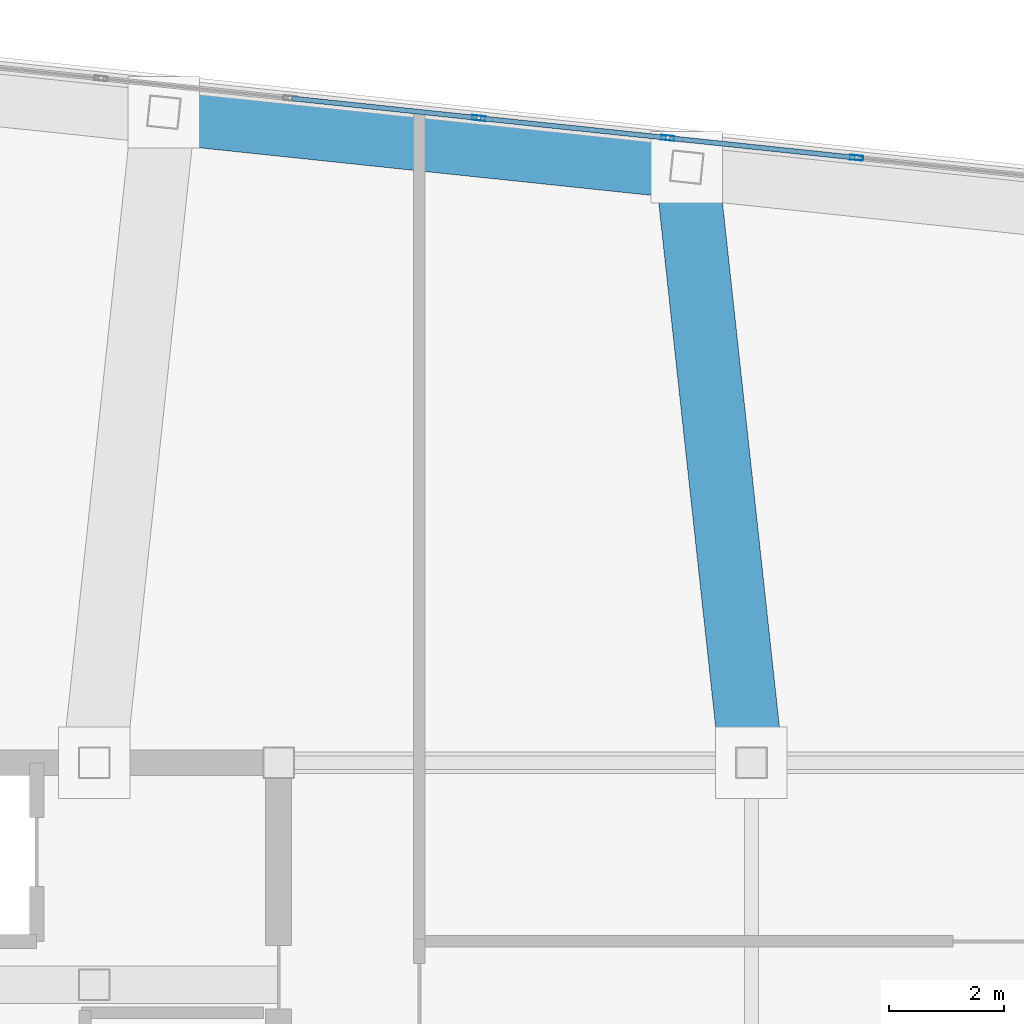
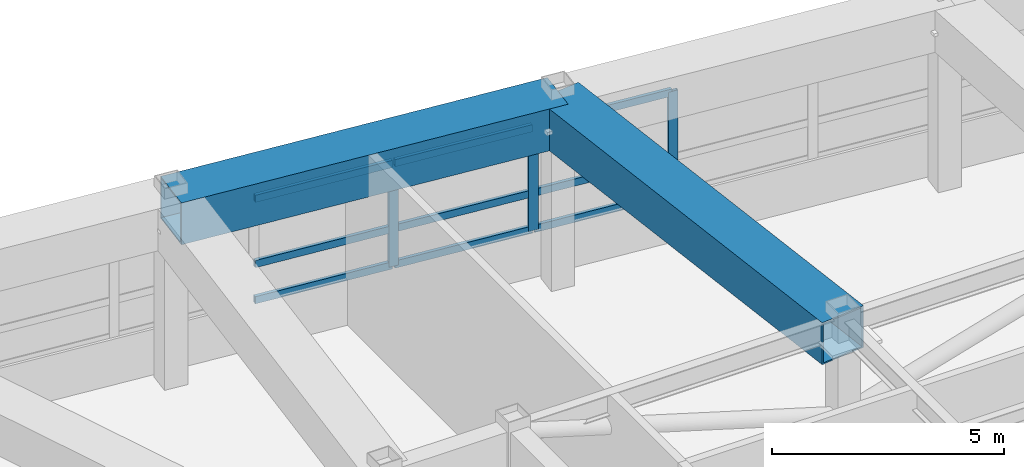
# One storey, part 15 of 23: 12 members, 2 beams, 1 element without a shape of its own.
"""IFC4 building model written with IfcOpenShell, lengths in metres."""

import ifcopenshell
import ifcopenshell.guid

model = None  # the IFC model being written
_history = None  # IfcOwnerHistory: only IFC2X3 demands one
_inside = {}  # id of a spatial element -> (the spatial element, [elements in it])
_under = {}  # id of a project, library or spatial element -> (it, [spatial elements below it])
_declared = {}  # id of a project -> (the project, [libraries it declares])
_typed = {}  # id of a type object -> (the type object, [elements of that type])
_made_of = {}  # id of a material, layer set ... -> (it, [elements and type objects made of it])


def new_model(schema):
    """Start an empty IFC model of exactly this schema.

    Asked for "IFC4X3", IfcOpenShell would pick the latest addendum, in which some entities
    have other attributes; the version numbers below select the first issue.
    IFC2X3 requires an IfcOwnerHistory on every rooted entity: one is made here for all.
    """
    global model, _history
    if schema == "IFC4X3":
        model = ifcopenshell.file(schema_version=(4, 3, 0, 0))
    else:
        model = ifcopenshell.file(schema=schema)
    _inside.clear()
    _under.clear()
    _declared.clear()
    _typed.clear()
    _made_of.clear()
    _history = None
    if model.schema == "IFC2X3":
        org = make("IfcOrganization", Name="unknown")
        user = make(
            "IfcPersonAndOrganization",
            ThePerson=make("IfcPerson", FamilyName="unknown"),
            TheOrganization=org,
        )
        app = make(
            "IfcApplication",
            ApplicationDeveloper=org,
            Version="unknown",
            ApplicationFullName="unknown",
            ApplicationIdentifier="unknown",
        )
        _history = make(
            "IfcOwnerHistory",
            OwningUser=user,
            OwningApplication=app,
            ChangeAction="ADDED",
            CreationDate=0,
        )
    return model


def make(cls, **values):
    """One entity of the class cls with the attributes given. An attribute that is None is left unset."""
    return model.create_entity(
        cls, **{name: value for name, value in values.items() if value is not None}
    )


def rooted(cls, **values):
    """An entity with a GlobalId (a new one), such as an element, a storey or a relation."""
    return make(cls, GlobalId=ifcopenshell.guid.new(), OwnerHistory=_history, **values)


def si_unit(unit_type, name, prefix=None):
    """IfcSIUnit, for example si_unit("LENGTHUNIT", "METRE", prefix="MILLI")."""
    return make("IfcSIUnit", UnitType=unit_type, Prefix=prefix, Name=name)


def assignment(units):
    """IfcUnitAssignment: the units of a project."""
    return None if units is None else make("IfcUnitAssignment", Units=units)


def point(xyz):
    """IfcCartesianPoint."""
    return None if xyz is None else make("IfcCartesianPoint", Coordinates=xyz)


def direction(xyz):
    """IfcDirection."""
    return None if xyz is None else make("IfcDirection", DirectionRatios=xyz)


def frame(location, z_axis=None, x_axis=None):
    """IfcAxis2Placement3D, a coordinate frame: its origin and axes. An axis left out is left unset."""
    return make(
        "IfcAxis2Placement3D",
        Location=point(location),
        Axis=direction(z_axis),
        RefDirection=direction(x_axis),
    )


def frame_2d(location, x_axis=None):
    """IfcAxis2Placement2D, a coordinate frame in the plane: its origin and x axis."""
    return make(
        "IfcAxis2Placement2D", Location=point(location), RefDirection=direction(x_axis)
    )


def origin():
    """The frame at (0, 0, 0) with its axes left unset."""
    return frame((0.0, 0.0, 0.0))


def origin_2d():
    """The frame at (0, 0) in the plane with its x axis left unset."""
    return frame_2d((0.0, 0.0))


def place(relative_to, where):
    """IfcLocalPlacement: puts the frame where relative to a parent placement (None: the world)."""
    return make(
        "IfcLocalPlacement", PlacementRelTo=relative_to, RelativePlacement=where
    )


def context(
    kind, dimensions, precision=None, world=None, true_north=None, identifier=None
):
    """IfcGeometricRepresentationContext, for example the 3D "Model" context."""
    return make(
        "IfcGeometricRepresentationContext",
        ContextIdentifier=identifier,
        ContextType=kind,
        CoordinateSpaceDimension=dimensions,
        Precision=precision,
        WorldCoordinateSystem=world,
        TrueNorth=true_north,
    )


def subcontext(parent, identifier, kind, view, scale=None):
    """IfcGeometricRepresentationSubContext, for example "Body" below "Model"."""
    return make(
        "IfcGeometricRepresentationSubContext",
        ContextIdentifier=identifier,
        ContextType=kind,
        ParentContext=parent,
        TargetScale=scale,
        TargetView=view,
    )


def project(units=None, contexts=None):
    """IfcProject with its units and contexts."""
    return rooted(
        "IfcProject",
        Name="project",
        RepresentationContexts=contexts,
        UnitsInContext=assignment(units),
    )


def spatial(cls, under=None, at=None, **own):
    """A site, building, storey or space (cls), placed at a placement, below another one or the project."""
    s = rooted(cls, ObjectPlacement=at, **own)
    if under is not None:
        _under.setdefault(under.id(), (under, []))[1].append(s)
    return s


def profile(cls, at=None, kind="AREA", **sizes):
    """A parametric profile (cls). Its sizes go by their IFC names, for example OverallWidth=200.0."""
    return make(cls, ProfileType=kind, Position=at, **sizes)


def hollow_rectangle(**sizes):
    """IfcRectangleHollowProfileDef."""
    return profile("IfcRectangleHollowProfileDef", **sizes)


def extrude(swept, where, along, depth):
    """IfcExtrudedAreaSolid: the profile swept, set in the frame where, extruded along a direction by depth."""
    return make(
        "IfcExtrudedAreaSolid",
        SweptArea=swept,
        Position=where,
        ExtrudedDirection=direction(along),
        Depth=depth,
    )


def shape(context_of_items, identifier, shape_type, items):
    """IfcShapeRepresentation: the items that make up one representation, for example the "Body"."""
    return make(
        "IfcShapeRepresentation",
        ContextOfItems=context_of_items,
        RepresentationIdentifier=identifier,
        RepresentationType=shape_type,
        Items=items,
    )


def material(Name=None, Category=None):
    """IfcMaterial."""
    return make("IfcMaterial", Name=Name, Category=Category)


def layer(
    of_material, thickness, ventilated=None, Name=None, Category=None, Priority=None
):
    """IfcMaterialLayer: one layer of a wall or slab, of a material (None: an air gap)."""
    return make(
        "IfcMaterialLayer",
        Material=of_material,
        LayerThickness=thickness,
        IsVentilated=ventilated,
        Name=Name,
        Category=Category,
        Priority=Priority,
    )


def layer_set(layers, Name=None):
    """IfcMaterialLayerSet."""
    return make("IfcMaterialLayerSet", MaterialLayers=layers, LayerSetName=Name)


def material_profile(
    of_material, cross_section, Name=None, Category=None, Priority=None
):
    """IfcMaterialProfile: a cross section and its material."""
    return make(
        "IfcMaterialProfile",
        Name=Name,
        Material=of_material,
        Profile=cross_section,
        Priority=Priority,
        Category=Category,
    )


def profile_set(profiles, Name=None, composite=None):
    """IfcMaterialProfileSet."""
    return make(
        "IfcMaterialProfileSet",
        Name=Name,
        MaterialProfiles=profiles,
        CompositeProfile=composite,
    )


def made_of(thing, what):
    """Note that an element or type object is made of a material, layer set ...; save() writes the relation."""
    if what is not None:
        _made_of.setdefault(what.id(), (what, []))[1].append(thing)
    return thing


def type_object(cls, material=None, **own):
    """A type object (cls), such as IfcWallType, which elements share."""
    return made_of(rooted(cls, **own), material)


def element(
    cls,
    number,
    at=None,
    inside=None,
    cuts=None,
    type_object=None,
    material=None,
    context=None,
    identifier="Body",
    shape_type=None,
    held_by="IfcProductDefinitionShape",
    body=None,
    shapes=None,
    **own,
):
    """One element of the class cls, such as IfcWall. Its Tag is "e" and its number.

    at: its placement. inside: the storey or other place that contains it. cuts: it is an
    opening in that element (IfcRelVoidsElement). A single representation is given by context,
    identifier, shape_type and body (its items); several are given by shapes. held_by: the class
    of the entity that holds the representations. save() writes the other relations.
    """
    e = rooted(cls, Tag="e%d" % number, ObjectPlacement=at, **own)
    if body is not None:
        shapes = [shape(context, identifier, shape_type, body)]
    if shapes is not None:
        e.Representation = make(held_by, Representations=shapes)
    if inside is not None:
        _inside.setdefault(inside.id(), (inside, []))[1].append(e)
    if cuts is not None:
        rooted(
            "IfcRelVoidsElement", RelatingBuildingElement=cuts, RelatedOpeningElement=e
        )
    if type_object is not None:
        _typed.setdefault(type_object.id(), (type_object, []))[1].append(e)
    return made_of(e, material)


def aggregate(whole, parts):
    """IfcRelAggregates: a whole, such as a stair, and the parts it consists of."""
    return rooted("IfcRelAggregates", RelatingObject=whole, RelatedObjects=parts)


def save(model, path):
    """Write the relations noted so far, then the file.

    IfcRelAggregates (storeys below a building ...), IfcRelContainedInSpatialStructure (elements
    in a storey), IfcRelDefinesByType, IfcRelAssociatesMaterial and IfcRelDeclares: one each for
    every whole, place, type object, material and project.
    """
    for whole, parts in _under.values():
        aggregate(whole, parts)
    for where, things in _inside.values():
        rooted(
            "IfcRelContainedInSpatialStructure",
            RelatedElements=things,
            RelatingStructure=where,
        )
    for kind, things in _typed.values():
        rooted("IfcRelDefinesByType", RelatedObjects=things, RelatingType=kind)
    for what, things in _made_of.values():
        rooted("IfcRelAssociatesMaterial", RelatedObjects=things, RelatingMaterial=what)
    for by, libraries in _declared.values():
        rooted("IfcRelDeclares", RelatingContext=by, RelatedDefinitions=libraries)
    model.write(path)


model = new_model("IFC4")

# Units and contexts
model_context = context("Model", 3, precision=1e-05, world=origin(), true_north=direction((0.0, 1.0)))
body_context = subcontext(model_context, "Body", "Model", "MODEL_VIEW")
ifc_project = project(units=[si_unit("LENGTHUNIT", "METRE"), si_unit("AREAUNIT", "SQUARE_METRE"), si_unit("VOLUMEUNIT", "CUBIC_METRE"), si_unit("PLANEANGLEUNIT", "RADIAN"), si_unit("MASSUNIT", "GRAM", prefix="KILO")], contexts=[model_context])

# Site, building, storey
site_placement = place(None, origin())
site = spatial("IfcSite", under=ifc_project, at=site_placement, CompositionType="ELEMENT")
building_placement = place(site_placement, origin())
building = spatial("IfcBuilding", under=site, at=building_placement, Name="Voryun Gate Residences", CompositionType="ELEMENT")
storey_placement = place(building_placement, frame((0.0, 0.0, 316.0)))
storey = spatial("IfcBuildingStorey", under=building, at=storey_placement, Name="L78", CompositionType="ELEMENT", Elevation=316.0)

# Beams
ifc_material_1 = material(Name="Steel SM420", Category="steel")
ifc_material_profile_1 = material_profile(ifc_material_1, hollow_rectangle(XDim=1.10009765625, YDim=1.10009765625, WallThickness=0.035888671875, at=origin_2d()), Name="BOX-1100x1100x36")
ifc_profile_set_1 = profile_set([ifc_material_profile_1], Name="Steel SM420")
beam_type = type_object("IfcBeamType", Name="BM_ARCH_RIB", PredefinedType="USERDEFINED", material=ifc_profile_set_1)
beam_1_placement = place(storey_placement, frame((-5.321533203125, 17.731689453125, 4.47509765625), z_axis=(-0.994523919568, 0.104509202498, 0.0), x_axis=(-0.104509202498, -0.994523919568, 0.0)))
element("IfcBeam", 1, at=beam_1_placement, inside=storey, type_object=beam_type, Name="BM-L78-SPAND-14", ObjectType="GIRDER", PredefinedType="USERDEFINED", context=body_context, shape_type="SweptSolid", body=[
    extrude(hollow_rectangle(XDim=1.10009765625, YDim=1.10009765625, WallThickness=0.035888671875, at=origin_2d()), origin(), (0.0, 0.0, 1.0), 9.1201171875),
])
beam_2_placement = place(storey_placement, frame((-4.199951171875, 7.39990234375, 4.47509765625), z_axis=(-0.107922397085, 0.99415932134, 0.0), x_axis=(-0.99415932134, -0.107922397085, 0.0)))
element("IfcBeam", 2, at=beam_2_placement, inside=storey, type_object=beam_type, Name="BM-L78-RAD-N4", ObjectType="GIRDER", PredefinedType="USERDEFINED", context=body_context, shape_type="SweptSolid", body=[
    extrude(hollow_rectangle(XDim=1.10009765625, YDim=1.10009765625, WallThickness=0.035888671875, at=origin_2d()), origin(), (0.0, 0.0, 1.0), 10.392578125),
])

# Curtain wall, members
ifc_material_2 = material(Name="Anodised aluminium", Category="aluminium")
ifc_layer = layer(ifc_material_2, 0.22998046875, Name="CW_SYS_LANTERN_DARK_GLASS")
ifc_layer_set = layer_set([ifc_layer], Name="Anodised aluminium")
curtain_wall_type = type_object("IfcCurtainWallType", Name="CW_SYS_LANTERN_DARK_GLASS", PredefinedType="NOTDEFINED", material=ifc_layer_set)
curtain_wall_placement = place(storey_placement, origin())
curtain_wall = element("IfcCurtainWall", 3, at=curtain_wall_placement, inside=storey, type_object=curtain_wall_type, Name="Curtain wall CW6-L78-11", PredefinedType="NOTDEFINED")
ifc_material_3 = material(Name="Anodised aluminium", Category="aluminium")
ifc_material_profile_2 = material_profile(ifc_material_3, hollow_rectangle(XDim=0.0849609375, YDim=0.22998046875, WallThickness=0.006103515625, at=origin_2d()), Name="ALU-MULL-230x85x6")
ifc_profile_set_2 = profile_set([ifc_material_profile_2], Name="Anodised aluminium")
member_type_1 = type_object("IfcMemberType", Name="CW_MULL_LANT", PredefinedType="MULLION", material=ifc_profile_set_2)
member_1_placement = place(storey_placement, frame((-8.928955078125, 18.583251953125, 1.18994140625), z_axis=(0.0, 0.0, 1.0), x_axis=(0.10452775858, 0.994521969434, 0.0)))
member_1 = element("IfcMember", 4, at=member_1_placement, type_object=member_type_1, Name="CW6 mullion 5", PredefinedType="MULLION", context=body_context, shape_type="SweptSolid", body=[
    extrude(hollow_rectangle(XDim=0.0849609375, YDim=0.22998046875, WallThickness=0.006103515625, at=origin_2d()), origin(), (0.0, 0.0, 1.0), 2.72509765625),
])
member_2_placement = place(storey_placement, frame((-5.65234375, 18.239013671875, 1.18994140625), z_axis=(0.0, 0.0, 1.0), x_axis=(0.10452775858, 0.994521969434, 0.0)))
member_2 = element("IfcMember", 5, at=member_2_placement, type_object=member_type_1, Name="CW6 mullion 6", PredefinedType="MULLION", context=body_context, shape_type="SweptSolid", body=[
    extrude(hollow_rectangle(XDim=0.0849609375, YDim=0.22998046875, WallThickness=0.006103515625, at=origin_2d()), origin(), (0.0, 0.0, 1.0), 2.72509765625),
])
member_3_placement = place(storey_placement, frame((-2.375732421875, 17.89453125, 1.18994140625), z_axis=(0.0, 0.0, 1.0), x_axis=(0.10452775858, 0.994521969434, 0.0)))
member_3 = element("IfcMember", 6, at=member_3_placement, type_object=member_type_1, Name="CW6 mullion 7", PredefinedType="MULLION", context=body_context, shape_type="SweptSolid", body=[
    extrude(hollow_rectangle(XDim=0.0849609375, YDim=0.22998046875, WallThickness=0.006103515625, at=origin_2d()), origin(), (0.0, 0.0, 1.0), 2.72509765625),
])
ifc_material_4 = material(Name="Anodised aluminium", Category="aluminium")
ifc_material_profile_3 = material_profile(ifc_material_4, hollow_rectangle(XDim=0.0849609375, YDim=0.18994140625, WallThickness=0.006103515625, at=origin_2d()), Name="ALU-TRAN-190x85x6")
ifc_profile_set_3 = profile_set([ifc_material_profile_3], Name="Anodised aluminium")
member_type_2 = type_object("IfcMemberType", Name="CW_TRAN_LANT", PredefinedType="USERDEFINED", material=ifc_profile_set_3)
member_4_placement = place(storey_placement, frame((-12.17578125, 18.924560546875, 1.219970703125), z_axis=(0.994521569819, -0.104531560613, 0.0), x_axis=(0.104531560613, 0.994521569819, 0.0)))
member_4 = element("IfcMember", 7, at=member_4_placement, type_object=member_type_2, Name="CW6 transom 4.1", ObjectType="TRANSOM", PredefinedType="USERDEFINED", context=body_context, shape_type="SweptSolid", body=[
    extrude(hollow_rectangle(XDim=0.0849609375, YDim=0.18994140625, WallThickness=0.006103515625, at=origin_2d()), origin(), (0.0, 0.0, 1.0), 3.23486328125),
])
member_5_placement = place(storey_placement, frame((-12.17578125, 18.924560546875, 2.1708984375), z_axis=(0.994521569819, -0.104531560613, 0.0), x_axis=(0.104531560613, 0.994521569819, 0.0)))
member_5 = element("IfcMember", 8, at=member_5_placement, type_object=member_type_2, Name="CW6 transom 4.2", ObjectType="TRANSOM", PredefinedType="USERDEFINED", context=body_context, shape_type="SweptSolid", body=[
    extrude(hollow_rectangle(XDim=0.0849609375, YDim=0.18994140625, WallThickness=0.006103515625, at=origin_2d()), origin(), (0.0, 0.0, 1.0), 3.23486328125),
])
member_6_placement = place(storey_placement, frame((-12.17578125, 18.924560546875, 3.885009765625), z_axis=(0.994521569819, -0.104531560613, 0.0), x_axis=(0.104531560613, 0.994521569819, 0.0)))
member_6 = element("IfcMember", 9, at=member_6_placement, type_object=member_type_2, Name="CW6 transom 4.3", ObjectType="TRANSOM", PredefinedType="USERDEFINED", context=body_context, shape_type="SweptSolid", body=[
    extrude(hollow_rectangle(XDim=0.0849609375, YDim=0.18994140625, WallThickness=0.006103515625, at=origin_2d()), origin(), (0.0, 0.0, 1.0), 3.23486328125),
])
member_7_placement = place(storey_placement, frame((-8.899169921875, 18.580322265625, 1.219970703125), z_axis=(0.994521569819, -0.104531560613, 0.0), x_axis=(0.104531560613, 0.994521569819, 0.0)))
member_7 = element("IfcMember", 10, at=member_7_placement, type_object=member_type_2, Name="CW6 transom 5.1", ObjectType="TRANSOM", PredefinedType="USERDEFINED", context=body_context, shape_type="SweptSolid", body=[
    extrude(hollow_rectangle(XDim=0.0849609375, YDim=0.18994140625, WallThickness=0.006103515625, at=origin_2d()), origin(), (0.0, 0.0, 1.0), 3.23486328125),
])
member_8_placement = place(storey_placement, frame((-8.899169921875, 18.580322265625, 2.1708984375), z_axis=(0.994521569819, -0.104531560613, 0.0), x_axis=(0.104531560613, 0.994521569819, 0.0)))
member_8 = element("IfcMember", 11, at=member_8_placement, type_object=member_type_2, Name="CW6 transom 5.2", ObjectType="TRANSOM", PredefinedType="USERDEFINED", context=body_context, shape_type="SweptSolid", body=[
    extrude(hollow_rectangle(XDim=0.0849609375, YDim=0.18994140625, WallThickness=0.006103515625, at=origin_2d()), origin(), (0.0, 0.0, 1.0), 3.23486328125),
])
member_9_placement = place(storey_placement, frame((-8.899169921875, 18.580322265625, 3.885009765625), z_axis=(0.994521569819, -0.104531560613, 0.0), x_axis=(0.104531560613, 0.994521569819, 0.0)))
member_9 = element("IfcMember", 12, at=member_9_placement, type_object=member_type_2, Name="CW6 transom 5.3", ObjectType="TRANSOM", PredefinedType="USERDEFINED", context=body_context, shape_type="SweptSolid", body=[
    extrude(hollow_rectangle(XDim=0.0849609375, YDim=0.18994140625, WallThickness=0.006103515625, at=origin_2d()), origin(), (0.0, 0.0, 1.0), 3.23486328125),
])
member_10_placement = place(storey_placement, frame((-5.62255859375, 18.23583984375, 1.219970703125), z_axis=(0.994521569819, -0.104531560613, 0.0), x_axis=(0.104531560613, 0.994521569819, 0.0)))
member_10 = element("IfcMember", 13, at=member_10_placement, type_object=member_type_2, Name="CW6 transom 6.1", ObjectType="TRANSOM", PredefinedType="USERDEFINED", context=body_context, shape_type="SweptSolid", body=[
    extrude(hollow_rectangle(XDim=0.0849609375, YDim=0.18994140625, WallThickness=0.006103515625, at=origin_2d()), origin(), (0.0, 0.0, 1.0), 3.23486328125),
])
member_11_placement = place(storey_placement, frame((-5.62255859375, 18.23583984375, 2.1708984375), z_axis=(0.994521569819, -0.104531560613, 0.0), x_axis=(0.104531560613, 0.994521569819, 0.0)))
member_11 = element("IfcMember", 14, at=member_11_placement, type_object=member_type_2, Name="CW6 transom 6.2", ObjectType="TRANSOM", PredefinedType="USERDEFINED", context=body_context, shape_type="SweptSolid", body=[
    extrude(hollow_rectangle(XDim=0.0849609375, YDim=0.18994140625, WallThickness=0.006103515625, at=origin_2d()), origin(), (0.0, 0.0, 1.0), 3.23486328125),
])
member_12_placement = place(storey_placement, frame((-5.62255859375, 18.23583984375, 3.885009765625), z_axis=(0.994521569819, -0.104531560613, 0.0), x_axis=(0.104531560613, 0.994521569819, 0.0)))
member_12 = element("IfcMember", 15, at=member_12_placement, type_object=member_type_2, Name="CW6 transom 6.3", ObjectType="TRANSOM", PredefinedType="USERDEFINED", context=body_context, shape_type="SweptSolid", body=[
    extrude(hollow_rectangle(XDim=0.0849609375, YDim=0.18994140625, WallThickness=0.006103515625, at=origin_2d()), origin(), (0.0, 0.0, 1.0), 3.23486328125),
])
aggregate(curtain_wall, [member_1, member_2, member_3, member_4, member_5, member_6, member_7, member_8, member_9, member_10, member_11, member_12])

save(model, "model.ifc")
